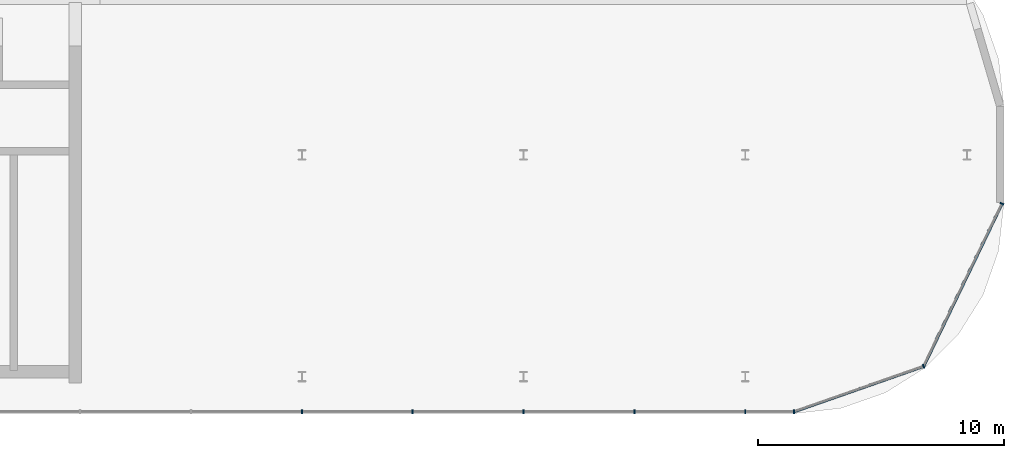
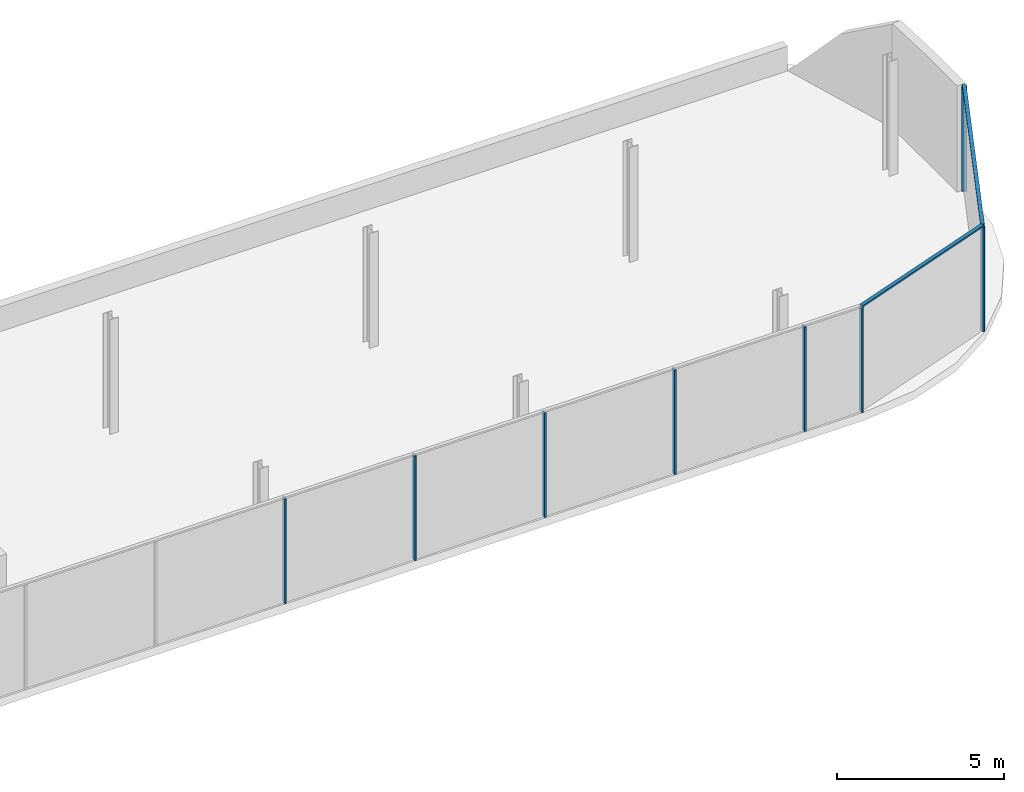
# One storey, part 4 of 5: 10 members, 3 elements without a shape of their own.
"""IFC4 building model written with IfcOpenShell, lengths in metres."""

from ifc_helpers import new_model, si_unit, direction, frame, origin, origin_2d, place, context, subcontext, project, spatial, rectangle, extrude, material, material_profile, profile_set, type_object, element, aggregate, save


model = new_model("IFC4")

# Units and contexts
model_context = context("Model", 3, precision=1e-05, world=origin(), true_north=direction((0.0, 1.0)))
body_context = subcontext(model_context, "Body", "Model", "MODEL_VIEW")
ifc_project = project(units=[si_unit("LENGTHUNIT", "METRE"), si_unit("AREAUNIT", "SQUARE_METRE"), si_unit("VOLUMEUNIT", "CUBIC_METRE"), si_unit("PLANEANGLEUNIT", "RADIAN"), si_unit("MASSUNIT", "GRAM", prefix="KILO")], contexts=[model_context])

# Site, building, storey
site_placement = place(None, origin())
site = spatial("IfcSite", under=ifc_project, at=site_placement, CompositionType="ELEMENT")
building_placement = place(site_placement, origin())
building = spatial("IfcBuilding", under=site, at=building_placement, Name="Ogive Portal Towers", CompositionType="ELEMENT")
storey_placement = place(building_placement, frame((0.0, 0.0, 285.5)))
storey = spatial("IfcBuildingStorey", under=building, at=storey_placement, Name="L69", CompositionType="ELEMENT", Elevation=285.5)

# Curtain wall, members
ifc_material_1 = material(Name="Glass, clear low-iron insulated glazing", Category="glass")
curtain_wall_type = type_object("IfcCurtainWallType", Name="CW CROWN GLAZING", PredefinedType="NOTDEFINED", material=ifc_material_1)
curtain_wall_1_placement = place(storey_placement, origin())
curtain_wall_1 = element("IfcCurtainWall", 1, at=curtain_wall_1_placement, inside=storey, type_object=curtain_wall_type, Name="A:L69:c10:cw", PredefinedType="NOTDEFINED")
ifc_material_2 = material(Name="Aluminium 6063 anodised", Category="aluminium")
ifc_material_profile_1 = material_profile(ifc_material_2, rectangle(XDim=0.159912109375, YDim=0.06005859375, at=origin_2d()), Name="AL 60x160")
ifc_profile_set_1 = profile_set([ifc_material_profile_1], Name="Aluminium 6063 anodised")
member_type_1 = type_object("IfcMemberType", Name="CW MULLION 60x160", PredefinedType="MULLION", material=ifc_profile_set_1)
member_1_placement = place(storey_placement, frame((67.5, 20.080078125, 0.0), z_axis=(0.0, 0.0, 1.0), x_axis=(0.0, 1.0, 0.0)))
member_1 = element("IfcMember", 2, at=member_1_placement, type_object=member_type_1, Name="mullion", PredefinedType="MULLION", context=body_context, shape_type="SweptSolid", body=[
    extrude(rectangle(XDim=0.159912109375, YDim=0.06005859375, at=origin_2d()), origin(), (0.0, 0.0, 1.0), 3.840087890625),
])
member_2_placement = place(storey_placement, frame((72.0, 20.080078125, 0.0), z_axis=(0.0, 0.0, 1.0), x_axis=(0.0, 1.0, 0.0)))
member_2 = element("IfcMember", 3, at=member_2_placement, type_object=member_type_1, Name="mullion", PredefinedType="MULLION", context=body_context, shape_type="SweptSolid", body=[
    extrude(rectangle(XDim=0.159912109375, YDim=0.06005859375, at=origin_2d()), origin(), (0.0, 0.0, 1.0), 3.840087890625),
])
member_3_placement = place(storey_placement, frame((76.5, 20.080078125, 0.0), z_axis=(0.0, 0.0, 1.0), x_axis=(0.0, 1.0, 0.0)))
member_3 = element("IfcMember", 4, at=member_3_placement, type_object=member_type_1, Name="mullion", PredefinedType="MULLION", context=body_context, shape_type="SweptSolid", body=[
    extrude(rectangle(XDim=0.159912109375, YDim=0.06005859375, at=origin_2d()), origin(), (0.0, 0.0, 1.0), 3.840087890625),
])
member_4_placement = place(storey_placement, frame((81.0, 20.080078125, 0.0), z_axis=(0.0, 0.0, 1.0), x_axis=(0.0, 1.0, 0.0)))
member_4 = element("IfcMember", 5, at=member_4_placement, type_object=member_type_1, Name="mullion", PredefinedType="MULLION", context=body_context, shape_type="SweptSolid", body=[
    extrude(rectangle(XDim=0.159912109375, YDim=0.06005859375, at=origin_2d()), origin(), (0.0, 0.0, 1.0), 3.840087890625),
])
member_5_placement = place(storey_placement, frame((85.5, 20.080078125, 0.0), z_axis=(0.0, 0.0, 1.0), x_axis=(0.0, 1.0, 0.0)))
member_5 = element("IfcMember", 6, at=member_5_placement, type_object=member_type_1, Name="mullion", PredefinedType="MULLION", context=body_context, shape_type="SweptSolid", body=[
    extrude(rectangle(XDim=0.159912109375, YDim=0.06005859375, at=origin_2d()), origin(), (0.0, 0.0, 1.0), 3.840087890625),
])
member_6_placement = place(storey_placement, frame((87.486328125, 20.080078125, 0.0), z_axis=(0.0, 0.0, 1.0), x_axis=(0.0, 1.0, 0.0)))
member_6 = element("IfcMember", 7, at=member_6_placement, type_object=member_type_1, Name="mullion", PredefinedType="MULLION", context=body_context, shape_type="SweptSolid", body=[
    extrude(rectangle(XDim=0.159912109375, YDim=0.06005859375, at=origin_2d()), origin(), (0.0, 0.0, 1.0), 3.840087890625),
])
aggregate(curtain_wall_1, [member_1, member_2, member_3, member_4, member_5, member_6])

# Curtain wall, member
curtain_wall_2_placement = place(storey_placement, origin())
curtain_wall_2 = element("IfcCurtainWall", 8, at=curtain_wall_2_placement, inside=storey, type_object=curtain_wall_type, Name="A:L69:c11:cw", PredefinedType="NOTDEFINED")
member_7_placement = place(storey_placement, frame((92.741943359375, 21.9189453125, 0.0), z_axis=(0.0, 0.0, 1.0), x_axis=(-0.33027906196, 0.943883330307, 0.0)))
member_7 = element("IfcMember", 9, at=member_7_placement, type_object=member_type_1, Name="mullion", PredefinedType="MULLION", context=body_context, shape_type="SweptSolid", body=[
    extrude(rectangle(XDim=0.159912109375, YDim=0.06005859375, at=origin_2d()), origin(), (0.0, 0.0, 1.0), 3.840087890625),
])

curtain_wall_3_placement = place(storey_placement, origin())
curtain_wall_3 = element("IfcCurtainWall", 10, at=curtain_wall_3_placement, inside=storey, type_object=curtain_wall_type, Name="A:L69:c12:cw", PredefinedType="NOTDEFINED")
member_8_placement = place(storey_placement, frame((95.919921875, 28.518310546875, 0.0), z_axis=(0.0, 0.0, 1.0), x_axis=(-0.900968867905, 0.433883739113, 0.0)))
member_8 = element("IfcMember", 11, at=member_8_placement, type_object=member_type_1, Name="mullion", PredefinedType="MULLION", context=body_context, shape_type="SweptSolid", body=[
    extrude(rectangle(XDim=0.159912109375, YDim=0.06005859375, at=origin_2d()), origin(), (0.0, 0.0, 1.0), 3.840087890625),
])

# Member
ifc_material_profile_2 = material_profile(ifc_material_2, rectangle(XDim=0.1201171875, YDim=0.06005859375, at=origin_2d()), Name="AL 120x60")
ifc_profile_set_2 = profile_set([ifc_material_profile_2], Name="Aluminium 6063 anodised")
member_type_2 = type_object("IfcMemberType", Name="CW TRANSOM 60x120", PredefinedType="USERDEFINED", material=ifc_profile_set_2)
member_9_placement = place(storey_placement, frame((87.486328125, 20.080078125, 3.8701171875), z_axis=(0.943891847017, 0.330254721593, 0.0), x_axis=(-0.330254721593, 0.943891847017, 0.0)))
member_9 = element("IfcMember", 12, at=member_9_placement, type_object=member_type_2, Name="transom", ObjectType="TRANSOM", PredefinedType="USERDEFINED", context=body_context, shape_type="SweptSolid", body=[
    extrude(rectangle(XDim=0.1201171875, YDim=0.06005859375, at=origin_2d()), origin(), (0.0, 0.0, 1.0), 5.568115234375),
])

aggregate(curtain_wall_2, [member_9, member_7])

member_10_placement = place(storey_placement, frame((92.741943359375, 21.9189453125, 3.8701171875), z_axis=(0.433871738997, 0.900974646757, 0.0), x_axis=(-0.900974646757, 0.433871738997, 0.0)))
member_10 = element("IfcMember", 13, at=member_10_placement, type_object=member_type_2, Name="transom", ObjectType="TRANSOM", PredefinedType="USERDEFINED", context=body_context, shape_type="SweptSolid", body=[
    extrude(rectangle(XDim=0.1201171875, YDim=0.06005859375, at=origin_2d()), origin(), (0.0, 0.0, 1.0), 7.32470703125),
])

aggregate(curtain_wall_3, [member_10, member_8])

save(model, "model.ifc")
